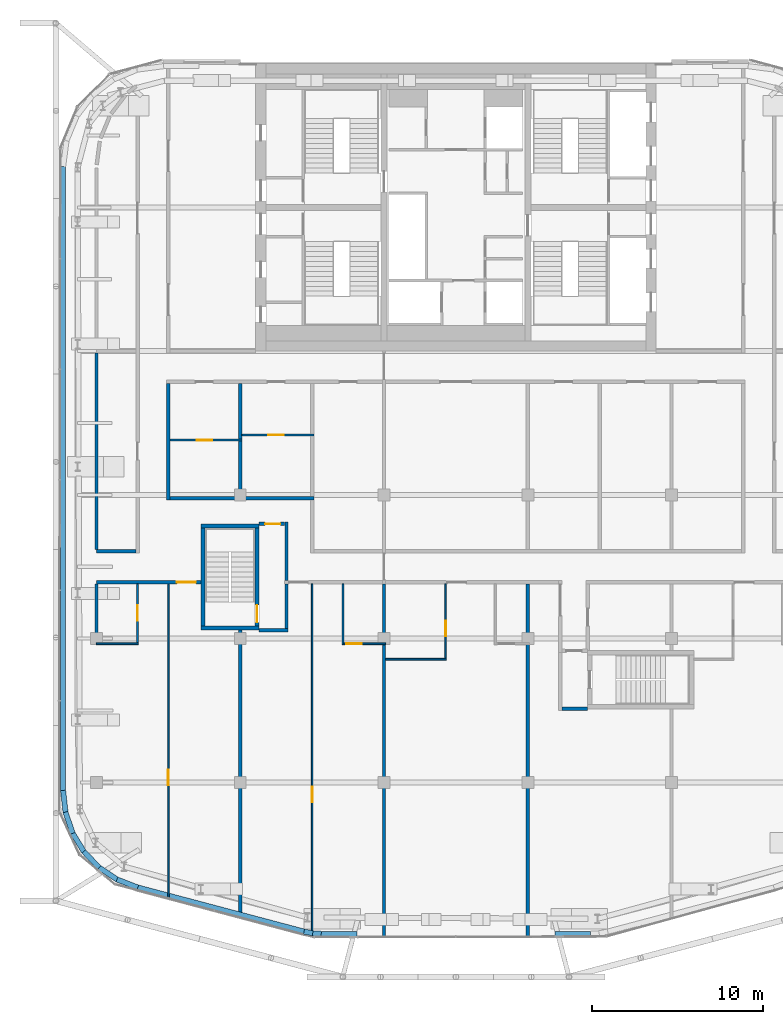
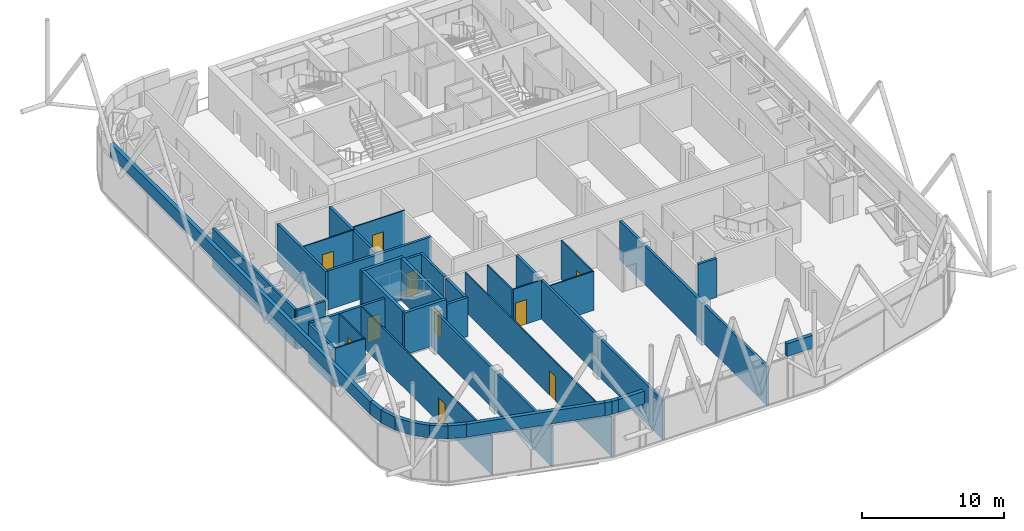
# One storey, part 19 of 25: 41 walls, 10 doors, 10 openings.
"""IFC4 building model written with IfcOpenShell, lengths in metres."""

from ifc_helpers import new_model, si_unit, direction, frame, frame_2d, origin, place, context, subcontext, project, spatial, rectangle, extrude, material, layer, layer_set, type_object, element, fill, save


model = new_model("IFC4")

# Units and contexts
model_context = context("Model", 3, precision=1e-05, world=origin(), true_north=direction((0.0, 1.0)))
body_context = subcontext(model_context, "Body", "Model", "MODEL_VIEW")
ifc_project = project(units=[si_unit("LENGTHUNIT", "METRE"), si_unit("AREAUNIT", "SQUARE_METRE"), si_unit("VOLUMEUNIT", "CUBIC_METRE"), si_unit("PLANEANGLEUNIT", "RADIAN"), si_unit("MASSUNIT", "GRAM", prefix="KILO")], contexts=[model_context])

# Site, building, storey
site_placement = place(None, origin())
site = spatial("IfcSite", under=ifc_project, at=site_placement, CompositionType="ELEMENT")
building_placement = place(site_placement, origin())
building = spatial("IfcBuilding", under=site, at=building_placement, Name="Marenta Gate Hotel Tower", CompositionType="ELEMENT")
storey_placement = place(building_placement, frame((0.0, 0.0, 277.699951171875)))
storey = spatial("IfcBuildingStorey", under=building, at=storey_placement, Name="L64", CompositionType="ELEMENT", Elevation=277.699951171875)

# Walls
ifc_material_1 = material(Name="Concrete blockwork", Category="masonry")
ifc_layer_1 = layer(ifc_material_1, 0.199951171875)
ifc_layer_set_1 = layer_set([ifc_layer_1], Name="Concrete blockwork")
wall_type_1 = type_object("IfcWallType", Name="Compartment wall 200 REI 180", PredefinedType="PARTITIONING", material=ifc_layer_set_1)
wall_1_placement = place(storey_placement, frame((-4.199951171875, -34.199951171875, 0.0), z_axis=(0.0, 0.0, 1.0), x_axis=(0.0, 1.0, 0.0)))
element("IfcWall", 1, at=wall_1_placement, inside=storey, type_object=wall_type_1, Name="L64-PTN-W040", PredefinedType="PARTITIONING", context=body_context, shape_type="SweptSolid", body=[
    extrude(rectangle(XDim=20.599853515625, YDim=0.199951171875, at=frame_2d((10.2998046875, 0.0))), origin(), (0.0, 0.0, 1.0), 3.340087890625),
])
ifc_material_2 = material(Name="Concrete C40 board-marked", Category="concrete")
ifc_layer_2 = layer(ifc_material_2, 0.300048828125)
ifc_layer_set_2 = layer_set([ifc_layer_2], Name="Concrete C40 board-marked")
wall_type_2 = type_object("IfcWallType", Name="Parapet 300 mm board-marked concrete", PredefinedType="PARAPET", material=ifc_layer_set_2)
wall_2_placement = place(storey_placement, frame((-7.86865234375, -34.05029296875, 3.60009765625), z_axis=(0.0, 0.0, 1.0), x_axis=(-0.997886085242, 0.064987390167, 0.0)))
element("IfcWall", 2, at=wall_2_placement, inside=storey, type_object=wall_type_2, Name="L64-PAR-00000", PredefinedType="PARAPET", context=body_context, shape_type="SweptSolid", body=[
    extrude(rectangle(XDim=0.518310546875, YDim=0.300048828125, at=frame_2d((0.25927734375, 0.0))), origin(), (0.0, 0.0, 1.0), 1.099853515625),
])
wall_3_placement = place(storey_placement, frame((-8.36669921875, -34.019287109375, 3.60009765625), z_axis=(0.0, 0.0, 1.0), x_axis=(-0.981066960595, 0.193668838043, 0.0)))
element("IfcWall", 3, at=wall_3_placement, inside=storey, type_object=wall_type_2, Name="L64-PAR-00010", PredefinedType="PARAPET", context=body_context, shape_type="SweptSolid", body=[
    extrude(rectangle(XDim=0.51806640625, YDim=0.300048828125, at=frame_2d((0.259033203125, 0.0))), origin(), (0.0, 0.0, 1.0), 1.099853515625),
])
wall_4_placement = place(storey_placement, frame((-8.865478515625, -33.921142578125, 3.60009765625), z_axis=(0.0, 0.0, 1.0), x_axis=(-0.966564868529, 0.256422220031, 0.0)))
element("IfcWall", 4, at=wall_4_placement, inside=storey, type_object=wall_type_2, Name="L64-PAR-00020", PredefinedType="PARAPET", context=body_context, shape_type="SweptSolid", body=[
    extrude(rectangle(XDim=10.0712890625, YDim=0.300048828125, at=frame_2d((5.03564453125, 0.0))), origin(), (0.0, 0.0, 1.0), 1.099853515625),
])
wall_5_placement = place(storey_placement, frame((-18.584716796875, -31.34375, 3.60009765625), z_axis=(0.0, 0.0, 1.0), x_axis=(-0.932786730883, 0.360428792813, 0.0)))
element("IfcWall", 5, at=wall_5_placement, inside=storey, type_object=wall_type_2, Name="L64-PAR-00030", PredefinedType="PARAPET", context=body_context, shape_type="SweptSolid", body=[
    extrude(rectangle(XDim=1.30859375, YDim=0.300048828125, at=frame_2d((0.654296875, 0.0))), origin(), (0.0, 0.0, 1.0), 1.099853515625),
])
wall_6_placement = place(storey_placement, frame((-19.7763671875, -30.88720703125, 3.60009765625), z_axis=(0.0, 0.0, 1.0), x_axis=(-0.832566414073, 0.55392523517, 0.0)))
element("IfcWall", 6, at=wall_6_placement, inside=storey, type_object=wall_type_2, Name="L64-PAR-00040", PredefinedType="PARAPET", context=body_context, shape_type="SweptSolid", body=[
    extrude(rectangle(XDim=1.30908203125, YDim=0.300048828125, at=frame_2d((0.654541015625, 0.0))), origin(), (0.0, 0.0, 1.0), 1.099853515625),
])
wall_7_placement = place(storey_placement, frame((-20.841064453125, -30.18310546875, 3.60009765625), z_axis=(0.0, 0.0, 1.0), x_axis=(-0.692407566653, 0.721506591544, 0.0)))
element("IfcWall", 7, at=wall_7_placement, inside=storey, type_object=wall_type_2, Name="L64-PAR-00050", PredefinedType="PARAPET", context=body_context, shape_type="SweptSolid", body=[
    extrude(rectangle(XDim=1.308837890625, YDim=0.300048828125, at=frame_2d((0.654296875, 0.0))), origin(), (0.0, 0.0, 1.0), 1.099853515625),
])
wall_8_placement = place(storey_placement, frame((-21.727294921875, -29.264892578125, 3.60009765625), z_axis=(0.0, 0.0, 1.0), x_axis=(-0.519751696049, 0.854317373377, 0.0)))
element("IfcWall", 8, at=wall_8_placement, inside=storey, type_object=wall_type_2, Name="L64-PAR-00060", PredefinedType="PARAPET", context=body_context, shape_type="SweptSolid", body=[
    extrude(rectangle(XDim=1.30908203125, YDim=0.300048828125, at=frame_2d((0.654541015625, 0.0))), origin(), (0.0, 0.0, 1.0), 1.099853515625),
])
wall_9_placement = place(storey_placement, frame((-22.393798828125, -28.176025390625, 3.60009765625), z_axis=(0.0, 0.0, 1.0), x_axis=(-0.321986341971, 0.946744313732, 0.0)))
element("IfcWall", 9, at=wall_9_placement, inside=storey, type_object=wall_type_2, Name="L64-PAR-00070", PredefinedType="PARAPET", context=body_context, shape_type="SweptSolid", body=[
    extrude(rectangle(XDim=1.30859375, YDim=0.300048828125, at=frame_2d((0.654296875, 0.0))), origin(), (0.0, 0.0, 1.0), 1.099853515625),
])
wall_10_placement = place(storey_placement, frame((-22.80810546875, -26.968994140625, 3.60009765625), z_axis=(0.0, 0.0, 1.0), x_axis=(-0.109121157301, 0.994028456851, 0.0)))
element("IfcWall", 10, at=wall_10_placement, inside=storey, type_object=wall_type_2, Name="L64-PAR-00080", PredefinedType="PARAPET", context=body_context, shape_type="SweptSolid", body=[
    extrude(rectangle(XDim=1.308837890625, YDim=0.300048828125, at=frame_2d((0.654296875, 0.0))), origin(), (0.0, 0.0, 1.0), 1.099853515625),
])
wall_11_placement = place(storey_placement, frame((-22.949951171875, -25.684326171875, 3.60009765625), z_axis=(0.0, 0.0, 1.0), x_axis=(0.0, 1.0, 0.0)))
element("IfcWall", 11, at=wall_11_placement, inside=storey, type_object=wall_type_2, Name="L64-PAR-00090", PredefinedType="PARAPET", context=body_context, shape_type="SweptSolid", body=[
    extrude(rectangle(XDim=36.484375, YDim=0.300048828125, at=frame_2d((18.2421875, 0.0))), origin(), (0.0, 0.0, 1.0), 1.099853515625),
])
for number, where, z_axis, x_axis, name in (
    (12, (-5.7783203125, -34.050048828125, 3.60009765625), (0.0, 0.0, 1.0), (-1.0, 0.0, 0.0), "L64-PAR-01010"),
    (13, (7.87841796875, -34.050048828125, 3.60009765625), (0.0, 0.0, 1.0), (-1.0, 0.0, 0.0), "L64-PAR-10160"),
):
    element("IfcWall", number, at=place(storey_placement, frame(where, z_axis=z_axis, x_axis=x_axis)), inside=storey, type_object=wall_type_2, Name=name, PredefinedType="PARAPET", context=body_context, shape_type="SweptSolid", body=[
        extrude(rectangle(XDim=2.10009765625, YDim=0.300048828125, at=frame_2d((1.050048828125, 0.0))), origin(), (0.0, 0.0, 1.0), 1.099853515625),
    ])
ifc_material_3 = material(Name="Concrete C40", Category="concrete")
ifc_layer_3 = layer(ifc_material_3, 0.25)
ifc_layer_set_3 = layer_set([ifc_layer_3], Name="Concrete C40")
wall_type_3 = type_object("IfcWallType", Name="Remote stair enclosure wall 250 REI 180", PredefinedType="SHEAR", material=ifc_layer_set_3)
for number, where, z_axis, x_axis, name in (
    (14, (-14.89990234375, -16.175048828125, 0.10009765625), (0.0, 0.0, 1.0), (1.0, 0.0, 0.0), "L64-RS-Z4-2-W1"),
    (15, (-14.89990234375, -10.22509765625, 0.10009765625), (0.0, 0.0, 1.0), (1.0, 0.0, 0.0), "L64-RS-Z4-2-W2"),
):
    element("IfcWall", number, at=place(storey_placement, frame(where, z_axis=z_axis, x_axis=x_axis)), inside=storey, type_object=wall_type_3, Name=name, PredefinedType="SHEAR", context=body_context, shape_type="SweptSolid", body=[
        extrude(rectangle(XDim=3.39990234375, YDim=0.25, at=frame_2d((1.699951171875, 0.0))), origin(), (0.0, 0.0, 1.0), 3.599853515625),
    ])
wall_12_placement = place(storey_placement, frame((-14.77490234375, -16.050048828125, 0.10009765625), z_axis=(0.0, 0.0, 1.0), x_axis=(0.0, 1.0, 0.0)))
element("IfcWall", 16, at=wall_12_placement, inside=storey, type_object=wall_type_3, Name="L64-RS-Z4-2-W3", PredefinedType="SHEAR", context=body_context, shape_type="SweptSolid", body=[
    extrude(rectangle(XDim=5.699951171875, YDim=0.25, at=frame_2d((2.85009765625, 0.0))), origin(), (0.0, 0.0, 1.0), 3.599853515625),
])

# Wall, opening, door
wall_13_placement = place(storey_placement, frame((-11.625, -16.050048828125, 0.10009765625), z_axis=(0.0, 0.0, 1.0), x_axis=(0.0, 1.0, 0.0)))
wall_13 = element("IfcWall", 17, at=wall_13_placement, inside=storey, type_object=wall_type_3, Name="L64-RS-Z4-2-W4", PredefinedType="SHEAR", context=body_context, shape_type="SweptSolid", body=[
    extrude(rectangle(XDim=5.699951171875, YDim=0.25, at=frame_2d((2.85009765625, 0.0))), origin(), (0.0, 0.0, 1.0), 3.599853515625),
])
opening_1_placement = place(wall_13_placement, frame((0.199951171875, 0.0, 0.0)))
opening_1 = element("IfcOpeningElement", 18, at=opening_1_placement, cuts=wall_13, Name="Opening VD", PredefinedType="OPENING", context=body_context, shape_type="SweptSolid", body=[
    extrude(rectangle(XDim=1.0, YDim=2.10009765625, at=frame_2d((0.5, 1.050048828125))), frame((0.0, 0.125, 0.0), z_axis=(0.0, -1.0, 0.0), x_axis=(1.0, 0.0, 0.0)), (0.0, 0.0, 1.0), 0.25),
])
ifc_material_4 = material(Name="Steel", Category="steel")
door_type_1 = type_object("IfcDoorType", Name="Stair vestibule door 1000x2100 FD60", OperationType="SINGLE_SWING_LEFT", PredefinedType="DOOR", material=ifc_material_4)
door_1_placement = place(opening_1_placement, origin())
door_1 = element("IfcDoor", 19, at=door_1_placement, inside=storey, type_object=door_type_1, Name="VD", OperationType="SINGLE_SWING_LEFT", OverallHeight=2.10009765625, OverallWidth=1.0, PredefinedType="DOOR", context=body_context, shape_type="SweptSolid", body=[
    extrude(rectangle(XDim=1.0, YDim=2.10009765625, at=frame_2d((0.5, 1.050048828125))), frame((0.0, 0.02490234375, 0.0), z_axis=(0.0, -1.0, 0.0), x_axis=(1.0, 0.0, 0.0)), (0.0, 0.0, 1.0), 0.050048828125),
])
fill(opening_1, door_1)

# Wall
ifc_material_5 = material(Name="Concrete blockwork", Category="masonry")
ifc_layer_4 = layer(ifc_material_5, 0.199951171875)
ifc_layer_set_4 = layer_set([ifc_layer_4], Name="Concrete blockwork")
wall_type_4 = type_object("IfcWallType", Name="Room corridor wall 200 EI 120", PredefinedType="PARTITIONING", material=ifc_layer_set_4)
wall_14_placement = place(storey_placement, frame((-16.699951171875, -8.60009765625, 0.0), z_axis=(0.0, 0.0, 1.0), x_axis=(1.0, 0.0, 0.0)))
element("IfcWall", 20, at=wall_14_placement, inside=storey, type_object=wall_type_4, Name="L64-PTN-W026", PredefinedType="PARTITIONING", context=body_context, shape_type="SweptSolid", body=[
    extrude(rectangle(XDim=8.39990234375, YDim=0.199951171875, at=frame_2d((4.199951171875, 0.0))), origin(), (0.0, 0.0, 1.0), 3.340087890625),
])

# Wall, opening, door
ifc_material_6 = material(Name="Gypsum board on steel stud", Category="steel")
ifc_layer_5 = layer(ifc_material_6, 0.199951171875)
ifc_layer_set_5 = layer_set([ifc_layer_5], Name="Gypsum board on steel stud")
wall_type_5 = type_object("IfcWallType", Name="Room corridor wall 200 EI 60", PredefinedType="PARTITIONING", material=ifc_layer_set_5)
wall_15_placement = place(storey_placement, frame((-21.0, -13.5, 0.0), z_axis=(0.0, 0.0, 1.0), x_axis=(1.0, 0.0, 0.0)))
wall_15 = element("IfcWall", 21, at=wall_15_placement, inside=storey, type_object=wall_type_5, Name="L64-PTN-W016", PredefinedType="PARTITIONING", context=body_context, shape_type="SweptSolid", body=[
    extrude(rectangle(XDim=6.10009765625, YDim=0.199951171875, at=frame_2d((3.050048828125, 0.0))), origin(), (0.0, 0.0, 1.0), 3.340087890625),
])
opening_2_placement = place(wall_15_placement, frame((4.699951171875, 0.0, 0.0)))
opening_2 = element("IfcOpeningElement", 22, at=opening_2_placement, cuts=wall_15, Name="Opening G23-11", PredefinedType="OPENING", context=body_context, shape_type="SweptSolid", body=[
    extrude(rectangle(XDim=1.10009765625, YDim=2.10009765625, at=frame_2d((0.550048828125, 1.050048828125))), frame((0.0, 0.10009765625, 0.0), z_axis=(0.0, -1.0, 0.0), x_axis=(1.0, 0.0, 0.0)), (0.0, 0.0, 1.0), 0.199951171875),
])
ifc_material_7 = material(Name="Timber door leaf", Category="wood")
door_type_2 = type_object("IfcDoorType", Name="Guest room door 1100x2100 EI 30", OperationType="NOTDEFINED", PredefinedType="DOOR", material=ifc_material_7)
door_2_placement = place(opening_2_placement, origin())
door_2 = element("IfcDoor", 23, at=door_2_placement, inside=storey, type_object=door_type_2, Name="L64-PD-D011", OperationType="SINGLE_SWING_RIGHT", OverallHeight=2.10009765625, OverallWidth=1.10009765625, PredefinedType="DOOR", context=body_context, shape_type="SweptSolid", body=[
    extrude(rectangle(XDim=1.10009765625, YDim=2.10009765625, at=frame_2d((0.550048828125, 1.050048828125))), frame((0.0, 0.02490234375, 0.0), z_axis=(0.0, -1.0, 0.0), x_axis=(1.0, 0.0, 0.0)), (0.0, 0.0, 1.0), 0.050048828125),
])
fill(opening_2, door_2)

# Walls
wall_16_placement = place(storey_placement, frame((-21.0, -11.699951171875, 0.0), z_axis=(0.0, 0.0, 1.0), x_axis=(1.0, 0.0, 0.0)))
element("IfcWall", 24, at=wall_16_placement, inside=storey, type_object=wall_type_5, Name="L64-PTN-W022", PredefinedType="PARTITIONING", context=body_context, shape_type="SweptSolid", body=[
    extrude(rectangle(XDim=2.300048828125, YDim=0.199951171875, at=frame_2d((1.14990234375, 0.0))), origin(), (0.0, 0.0, 1.0), 3.340087890625),
])
wall_17_placement = place(storey_placement, frame((-16.800048828125, -8.699951171875, 0.0), z_axis=(0.0, 0.0, 1.0), x_axis=(0.0, 1.0, 0.0)))
element("IfcWall", 25, at=wall_17_placement, inside=storey, type_object=wall_type_5, Name="L64-PTN-W051", PredefinedType="PARTITIONING", context=body_context, shape_type="SweptSolid", body=[
    extrude(rectangle(XDim=6.800048828125, YDim=0.199951171875, at=frame_2d((3.39990234375, 0.0))), origin(), (0.0, 0.0, 1.0), 3.340087890625),
])
wall_18_placement = place(storey_placement, frame((-21.0, -17.050048828125, 0.0), z_axis=(0.0, 0.0, 1.0), x_axis=(0.0, 1.0, 0.0)))
element("IfcWall", 26, at=wall_18_placement, inside=storey, type_object=wall_type_5, Name="L64-PTN-W054", PredefinedType="PARTITIONING", context=body_context, shape_type="SweptSolid", body=[
    extrude(rectangle(XDim=3.449951171875, YDim=0.199951171875, at=frame_2d((1.72509765625, 0.0))), origin(), (0.0, 0.0, 1.0), 3.340087890625),
])
wall_19_placement = place(storey_placement, frame((-21.0, -11.60009765625, 0.0), z_axis=(0.0, 0.0, 1.0), x_axis=(0.0, 1.0, 0.0)))
element("IfcWall", 27, at=wall_19_placement, inside=storey, type_object=wall_type_5, Name="L64-PTN-W055", PredefinedType="PARTITIONING", context=body_context, shape_type="SweptSolid", body=[
    extrude(rectangle(XDim=11.5, YDim=0.199951171875, at=frame_2d((5.75, 0.0))), origin(), (0.0, 0.0, 1.0), 3.340087890625),
])

# Wall, opening, door
ifc_material_8 = material(Name="Concrete blockwork", Category="masonry")
ifc_layer_6 = layer(ifc_material_8, 0.199951171875)
ifc_layer_set_6 = layer_set([ifc_layer_6], Name="Concrete blockwork")
wall_type_6 = type_object("IfcWallType", Name="Room corridor wall 200 REI 180", PredefinedType="PARTITIONING", material=ifc_layer_set_6)
wall_20_placement = place(storey_placement, frame((-11.5, -10.10009765625, 0.0), z_axis=(0.0, 0.0, 1.0), x_axis=(1.0, 0.0, 0.0)))
wall_20 = element("IfcWall", 28, at=wall_20_placement, inside=storey, type_object=wall_type_6, Name="L64-PTN-W025", PredefinedType="PARTITIONING", context=body_context, shape_type="SweptSolid", body=[
    extrude(rectangle(XDim=1.5, YDim=0.199951171875, at=frame_2d((0.75, 0.0))), origin(), (0.0, 0.0, 1.0), 3.340087890625),
])
opening_3_placement = place(wall_20_placement, frame((0.35009765625, 0.0, 0.0)))
opening_3 = element("IfcOpeningElement", 29, at=opening_3_placement, cuts=wall_20, Name="Opening G23-26", PredefinedType="OPENING", context=body_context, shape_type="SweptSolid", body=[
    extrude(rectangle(XDim=0.89990234375, YDim=2.10009765625, at=frame_2d((0.449951171875, 1.050048828125))), frame((0.0, 0.10009765625, 0.0), z_axis=(0.0, -1.0, 0.0), x_axis=(1.0, 0.0, 0.0)), (0.0, 0.0, 1.0), 0.199951171875),
])
ifc_material_9 = material(Name="Hollow steel door set", Category="steel")
door_type_3 = type_object("IfcDoorType", Name="Stair vestibule door 900x2100 EI 60", OperationType="NOTDEFINED", PredefinedType="DOOR", material=ifc_material_9)
door_3_placement = place(opening_3_placement, origin())
door_3 = element("IfcDoor", 30, at=door_3_placement, inside=storey, type_object=door_type_3, Name="L64-PD-D026", OperationType="SINGLE_SWING_LEFT", OverallHeight=2.10009765625, OverallWidth=0.89990234375, PredefinedType="DOOR", context=body_context, shape_type="SweptSolid", body=[
    extrude(rectangle(XDim=0.89990234375, YDim=2.10009765625, at=frame_2d((0.449951171875, 1.050048828125))), frame((0.0, 0.02490234375, 0.0), z_axis=(0.0, -1.0, 0.0), x_axis=(1.0, 0.0, 0.0)), (0.0, 0.0, 1.0), 0.050048828125),
])
fill(opening_3, door_3)

# Walls
wall_21_placement = place(storey_placement, frame((-9.89990234375, -13.39990234375, 0.0), z_axis=(0.0, 0.0, 1.0), x_axis=(0.0, 1.0, 0.0)))
element("IfcWall", 31, at=wall_21_placement, inside=storey, type_object=wall_type_6, Name="L64-PTN-W047", PredefinedType="PARTITIONING", context=body_context, shape_type="SweptSolid", body=[
    extrude(rectangle(XDim=3.39990234375, YDim=0.199951171875, at=frame_2d((1.699951171875, 0.0))), origin(), (0.0, 0.0, 1.0), 3.340087890625),
])
ifc_material_10 = material(Name="Gypsum board on steel stud", Category="steel")
ifc_layer_7 = layer(ifc_material_10, 0.10009765625)
ifc_layer_set_7 = layer_set([ifc_layer_7], Name="Gypsum board on steel stud")
wall_type_7 = type_object("IfcWallType", Name="Room partition 100", PredefinedType="PARTITIONING", material=ifc_layer_set_7)
wall_22_placement = place(storey_placement, frame((-4.10009765625, -18.0, 0.0), z_axis=(0.0, 0.0, 1.0), x_axis=(1.0, 0.0, 0.0)))
element("IfcWall", 32, at=wall_22_placement, inside=storey, type_object=wall_type_7, Name="L64-PTN-W006", PredefinedType="PARTITIONING", context=body_context, shape_type="SweptSolid", body=[
    extrude(rectangle(XDim=3.550048828125, YDim=0.10009765625, at=frame_2d((1.77490234375, 0.0))), origin(), (0.0, 0.0, 1.0), 3.340087890625),
])
wall_23_placement = place(storey_placement, frame((-21.0, -17.10009765625, 0.0), z_axis=(0.0, 0.0, 1.0), x_axis=(1.0, 0.0, 0.0)))
element("IfcWall", 33, at=wall_23_placement, inside=storey, type_object=wall_type_7, Name="L64-PTN-W009", PredefinedType="PARTITIONING", context=body_context, shape_type="SweptSolid", body=[
    extrude(rectangle(XDim=2.449951171875, YDim=0.10009765625, at=frame_2d((1.22509765625, 0.0))), origin(), (0.0, 0.0, 1.0), 3.340087890625),
])

# Wall, opening, door
wall_24_placement = place(storey_placement, frame((-6.550048828125, -17.10009765625, 0.0), z_axis=(0.0, 0.0, 1.0), x_axis=(1.0, 0.0, 0.0)))
wall_24 = element("IfcWall", 34, at=wall_24_placement, inside=storey, type_object=wall_type_7, Name="L64-PTN-W010", PredefinedType="PARTITIONING", context=body_context, shape_type="SweptSolid", body=[
    extrude(rectangle(XDim=2.449951171875, YDim=0.10009765625, at=frame_2d((1.22509765625, 0.0))), origin(), (0.0, 0.0, 1.0), 3.340087890625),
])
opening_4_placement = place(wall_24_placement, frame((0.14990234375, 0.0, 0.0)))
opening_4 = element("IfcOpeningElement", 35, at=opening_4_placement, cuts=wall_24, Name="Opening G23-16", PredefinedType="OPENING", context=body_context, shape_type="SweptSolid", body=[
    extrude(rectangle(XDim=0.89990234375, YDim=2.10009765625, at=frame_2d((0.449951171875, 1.050048828125))), frame((0.0, 0.050048828125, 0.0), z_axis=(0.0, -1.0, 0.0), x_axis=(1.0, 0.0, 0.0)), (0.0, 0.0, 1.0), 0.10009765625),
])
ifc_material_11 = material(Name="Timber door leaf", Category="wood")
door_type_4 = type_object("IfcDoorType", Name="Guest bathroom door 900x2100", OperationType="NOTDEFINED", PredefinedType="DOOR", material=ifc_material_11)
door_4_placement = place(opening_4_placement, origin())
door_4 = element("IfcDoor", 36, at=door_4_placement, inside=storey, type_object=door_type_4, Name="L64-PD-D016", OperationType="SINGLE_SWING_LEFT", OverallHeight=2.10009765625, OverallWidth=0.89990234375, PredefinedType="DOOR", context=body_context, shape_type="SweptSolid", body=[
    extrude(rectangle(XDim=0.89990234375, YDim=2.10009765625, at=frame_2d((0.449951171875, 1.050048828125))), frame((0.0, 0.02490234375, 0.0), z_axis=(0.0, -1.0, 0.0), x_axis=(1.0, 0.0, 0.0)), (0.0, 0.0, 1.0), 0.050048828125),
])
fill(opening_4, door_4)

wall_25_placement = place(storey_placement, frame((-16.699951171875, -5.199951171875, 0.0), z_axis=(0.0, 0.0, 1.0), x_axis=(1.0, 0.0, 0.0)))
wall_25 = element("IfcWall", 37, at=wall_25_placement, inside=storey, type_object=wall_type_7, Name="L64-PTN-W031", PredefinedType="PARTITIONING", context=body_context, shape_type="SweptSolid", body=[
    extrude(rectangle(XDim=4.199951171875, YDim=0.10009765625, at=frame_2d((2.10009765625, 0.0))), origin(), (0.0, 0.0, 1.0), 3.340087890625),
])
opening_5_placement = place(wall_25_placement, frame((1.550048828125, 0.0, 0.0)))
opening_5 = element("IfcOpeningElement", 38, at=opening_5_placement, cuts=wall_25, Name="Opening G23-02", PredefinedType="OPENING", context=body_context, shape_type="SweptSolid", body=[
    extrude(rectangle(XDim=0.89990234375, YDim=2.10009765625, at=frame_2d((0.449951171875, 1.050048828125))), frame((0.0, 0.050048828125, 0.0), z_axis=(0.0, -1.0, 0.0), x_axis=(1.0, 0.0, 0.0)), (0.0, 0.0, 1.0), 0.10009765625),
])
ifc_material_12 = material(Name="Timber door leaf", Category="wood")
door_type_5 = type_object("IfcDoorType", Name="Room inner door 900x2100", OperationType="NOTDEFINED", PredefinedType="DOOR", material=ifc_material_12)
door_5_placement = place(opening_5_placement, origin())
door_5 = element("IfcDoor", 39, at=door_5_placement, inside=storey, type_object=door_type_5, Name="L64-PD-D002", OperationType="SINGLE_SWING_RIGHT", OverallHeight=2.10009765625, OverallWidth=0.89990234375, PredefinedType="DOOR", context=body_context, shape_type="SweptSolid", body=[
    extrude(rectangle(XDim=0.89990234375, YDim=2.10009765625, at=frame_2d((0.449951171875, 1.050048828125))), frame((0.0, 0.02490234375, 0.0), z_axis=(0.0, -1.0, 0.0), x_axis=(1.0, 0.0, 0.0)), (0.0, 0.0, 1.0), 0.050048828125),
])
fill(opening_5, door_5)

wall_26_placement = place(storey_placement, frame((-12.5, -4.89990234375, 0.0), z_axis=(0.0, 0.0, 1.0), x_axis=(1.0, 0.0, 0.0)))
wall_26 = element("IfcWall", 40, at=wall_26_placement, inside=storey, type_object=wall_type_7, Name="L64-PTN-W032", PredefinedType="PARTITIONING", context=body_context, shape_type="SweptSolid", body=[
    extrude(rectangle(XDim=4.199951171875, YDim=0.10009765625, at=frame_2d((2.10009765625, 0.0))), origin(), (0.0, 0.0, 1.0), 3.340087890625),
])
opening_6_placement = place(wall_26_placement, frame((1.550048828125, 0.0, 0.0)))
opening_6 = element("IfcOpeningElement", 41, at=opening_6_placement, cuts=wall_26, Name="Opening G23-04", PredefinedType="OPENING", context=body_context, shape_type="SweptSolid", body=[
    extrude(rectangle(XDim=0.89990234375, YDim=2.10009765625, at=frame_2d((0.449951171875, 1.050048828125))), frame((0.0, 0.050048828125, 0.0), z_axis=(0.0, -1.0, 0.0), x_axis=(1.0, 0.0, 0.0)), (0.0, 0.0, 1.0), 0.10009765625),
])
door_6_placement = place(opening_6_placement, origin())
door_6 = element("IfcDoor", 42, at=door_6_placement, inside=storey, type_object=door_type_5, Name="L64-PD-D004", OperationType="SINGLE_SWING_RIGHT", OverallHeight=2.10009765625, OverallWidth=0.89990234375, PredefinedType="DOOR", context=body_context, shape_type="SweptSolid", body=[
    extrude(rectangle(XDim=0.89990234375, YDim=2.10009765625, at=frame_2d((0.449951171875, 1.050048828125))), frame((0.0, 0.02490234375, 0.0), z_axis=(0.0, -1.0, 0.0), x_axis=(1.0, 0.0, 0.0)), (0.0, 0.0, 1.0), 0.050048828125),
])
fill(opening_6, door_6)

wall_27_placement = place(storey_placement, frame((-0.60009765625, -17.949951171875, 0.0), z_axis=(0.0, 0.0, 1.0), x_axis=(0.0, 1.0, 0.0)))
wall_27 = element("IfcWall", 43, at=wall_27_placement, inside=storey, type_object=wall_type_7, Name="L64-PTN-W039", PredefinedType="PARTITIONING", context=body_context, shape_type="SweptSolid", body=[
    extrude(rectangle(XDim=4.349853515625, YDim=0.10009765625, at=frame_2d((2.1748046875, 0.0))), origin(), (0.0, 0.0, 1.0), 3.340087890625),
])
opening_7_placement = place(wall_27_placement, frame((1.300048828125, 0.0, 0.0)))
opening_7 = element("IfcOpeningElement", 44, at=opening_7_placement, cuts=wall_27, Name="Opening G23-18", PredefinedType="OPENING", context=body_context, shape_type="SweptSolid", body=[
    extrude(rectangle(XDim=0.89990234375, YDim=2.10009765625, at=frame_2d((0.449951171875, 1.050048828125))), frame((0.0, 0.050048828125, 0.0), z_axis=(0.0, -1.0, 0.0), x_axis=(1.0, 0.0, 0.0)), (0.0, 0.0, 1.0), 0.10009765625),
])
door_7_placement = place(opening_7_placement, origin())
door_7 = element("IfcDoor", 45, at=door_7_placement, inside=storey, type_object=door_type_4, Name="L64-PD-D018", OperationType="SINGLE_SWING_LEFT", OverallHeight=2.10009765625, OverallWidth=0.89990234375, PredefinedType="DOOR", context=body_context, shape_type="SweptSolid", body=[
    extrude(rectangle(XDim=0.89990234375, YDim=2.10009765625, at=frame_2d((0.449951171875, 1.050048828125))), frame((0.0, 0.02490234375, 0.0), z_axis=(0.0, -1.0, 0.0), x_axis=(1.0, 0.0, 0.0)), (0.0, 0.0, 1.0), 0.050048828125),
])
fill(opening_7, door_7)

# Wall
wall_28_placement = place(storey_placement, frame((-6.60009765625, -17.14990234375, 0.0), z_axis=(0.0, 0.0, 1.0), x_axis=(0.0, 1.0, 0.0)))
element("IfcWall", 46, at=wall_28_placement, inside=storey, type_object=wall_type_7, Name="L64-PTN-W042", PredefinedType="PARTITIONING", context=body_context, shape_type="SweptSolid", body=[
    extrude(rectangle(XDim=3.5498046875, YDim=0.10009765625, at=frame_2d((1.77490234375, 0.0))), origin(), (0.0, 0.0, 1.0), 3.340087890625),
])

# Wall, opening, door
wall_29_placement = place(storey_placement, frame((-8.39990234375, -34.19189453125, 0.0), z_axis=(0.0, 0.0, 1.0), x_axis=(0.0, 1.0, 0.0)))
wall_29 = element("IfcWall", 47, at=wall_29_placement, inside=storey, type_object=wall_type_7, Name="L64-PTN-W043", PredefinedType="PARTITIONING", context=body_context, shape_type="SweptSolid", body=[
    extrude(rectangle(XDim=20.591796875, YDim=0.10009765625, at=frame_2d((10.2958984375, 0.0))), origin(), (0.0, 0.0, 1.0), 3.340087890625),
])
opening_8_placement = place(wall_29_placement, frame((7.822021484375, 0.0, 0.0)))
opening_8 = element("IfcOpeningElement", 48, at=opening_8_placement, cuts=wall_29, Name="Opening G23-15", PredefinedType="OPENING", context=body_context, shape_type="SweptSolid", body=[
    extrude(rectangle(XDim=0.89990234375, YDim=2.10009765625, at=frame_2d((0.449951171875, 1.050048828125))), frame((0.0, 0.050048828125, 0.0), z_axis=(0.0, -1.0, 0.0), x_axis=(1.0, 0.0, 0.0)), (0.0, 0.0, 1.0), 0.10009765625),
])
door_8_placement = place(opening_8_placement, origin())
door_8 = element("IfcDoor", 49, at=door_8_placement, inside=storey, type_object=door_type_5, Name="L64-PD-D015", OperationType="SINGLE_SWING_LEFT", OverallHeight=2.10009765625, OverallWidth=0.89990234375, PredefinedType="DOOR", context=body_context, shape_type="SweptSolid", body=[
    extrude(rectangle(XDim=0.89990234375, YDim=2.10009765625, at=frame_2d((0.449951171875, 1.050048828125))), frame((0.0, 0.02490234375, 0.0), z_axis=(0.0, -1.0, 0.0), x_axis=(1.0, 0.0, 0.0)), (0.0, 0.0, 1.0), 0.050048828125),
])
fill(opening_8, door_8)

wall_30_placement = place(storey_placement, frame((-16.800048828125, -31.95703125, 0.0), z_axis=(0.0, 0.0, 1.0), x_axis=(0.0, 1.0, 0.0)))
wall_30 = element("IfcWall", 50, at=wall_30_placement, inside=storey, type_object=wall_type_7, Name="L64-PTN-W050", PredefinedType="PARTITIONING", context=body_context, shape_type="SweptSolid", body=[
    extrude(rectangle(XDim=18.35693359375, YDim=0.10009765625, at=frame_2d((9.178466796875, 0.0))), origin(), (0.0, 0.0, 1.0), 3.340087890625),
])
opening_9_placement = place(wall_30_placement, frame((6.590087890625, 0.0, 0.0)))
opening_9 = element("IfcOpeningElement", 51, at=opening_9_placement, cuts=wall_30, Name="Opening G23-12", PredefinedType="OPENING", context=body_context, shape_type="SweptSolid", body=[
    extrude(rectangle(XDim=0.89990234375, YDim=2.10009765625, at=frame_2d((0.449951171875, 1.050048828125))), frame((0.0, 0.050048828125, 0.0), z_axis=(0.0, -1.0, 0.0), x_axis=(1.0, 0.0, 0.0)), (0.0, 0.0, 1.0), 0.10009765625),
])
door_9_placement = place(opening_9_placement, origin())
door_9 = element("IfcDoor", 52, at=door_9_placement, inside=storey, type_object=door_type_5, Name="L64-PD-D012", OperationType="SINGLE_SWING_LEFT", OverallHeight=2.10009765625, OverallWidth=0.89990234375, PredefinedType="DOOR", context=body_context, shape_type="SweptSolid", body=[
    extrude(rectangle(XDim=0.89990234375, YDim=2.10009765625, at=frame_2d((0.449951171875, 1.050048828125))), frame((0.0, 0.02490234375, 0.0), z_axis=(0.0, -1.0, 0.0), x_axis=(1.0, 0.0, 0.0)), (0.0, 0.0, 1.0), 0.050048828125),
])
fill(opening_9, door_9)

wall_31_placement = place(storey_placement, frame((-18.60009765625, -17.050048828125, 0.0), z_axis=(0.0, 0.0, 1.0), x_axis=(0.0, 1.0, 0.0)))
wall_31 = element("IfcWall", 53, at=wall_31_placement, inside=storey, type_object=wall_type_7, Name="L64-PTN-W052", PredefinedType="PARTITIONING", context=body_context, shape_type="SweptSolid", body=[
    extrude(rectangle(XDim=3.449951171875, YDim=0.10009765625, at=frame_2d((1.72509765625, 0.0))), origin(), (0.0, 0.0, 1.0), 3.340087890625),
])
opening_10_placement = place(wall_31_placement, frame((1.300048828125, 0.0, 0.0)))
opening_10 = element("IfcOpeningElement", 54, at=opening_10_placement, cuts=wall_31, Name="Opening G23-13", PredefinedType="OPENING", context=body_context, shape_type="SweptSolid", body=[
    extrude(rectangle(XDim=0.89990234375, YDim=2.10009765625, at=frame_2d((0.449951171875, 1.050048828125))), frame((0.0, 0.050048828125, 0.0), z_axis=(0.0, -1.0, 0.0), x_axis=(1.0, 0.0, 0.0)), (0.0, 0.0, 1.0), 0.10009765625),
])
door_10_placement = place(opening_10_placement, origin())
door_10 = element("IfcDoor", 55, at=door_10_placement, inside=storey, type_object=door_type_4, Name="L64-PD-D013", OperationType="SINGLE_SWING_RIGHT", OverallHeight=2.10009765625, OverallWidth=0.89990234375, PredefinedType="DOOR", context=body_context, shape_type="SweptSolid", body=[
    extrude(rectangle(XDim=0.89990234375, YDim=2.10009765625, at=frame_2d((0.449951171875, 1.050048828125))), frame((0.0, 0.02490234375, 0.0), z_axis=(0.0, -1.0, 0.0), x_axis=(1.0, 0.0, 0.0)), (0.0, 0.0, 1.0), 0.050048828125),
])
fill(opening_10, door_10)

# Walls
ifc_material_13 = material(Name="Concrete blockwork", Category="masonry")
ifc_layer_8 = layer(ifc_material_13, 0.199951171875)
ifc_layer_set_8 = layer_set([ifc_layer_8], Name="Concrete blockwork")
wall_type_8 = type_object("IfcWallType", Name="Room party wall 200 EI 120", PredefinedType="PARTITIONING", material=ifc_layer_set_8)
wall_32_placement = place(storey_placement, frame((-12.60009765625, -8.5, 0.0), z_axis=(0.0, 0.0, 1.0), x_axis=(0.0, 1.0, 0.0)))
element("IfcWall", 56, at=wall_32_placement, inside=storey, type_object=wall_type_8, Name="L64-PTN-W049", PredefinedType="PARTITIONING", context=body_context, shape_type="SweptSolid", body=[
    extrude(rectangle(XDim=6.60009765625, YDim=0.199951171875, at=frame_2d((3.300048828125, 0.0))), origin(), (0.0, 0.0, 1.0), 3.340087890625),
])
ifc_material_14 = material(Name="Gypsum board on steel stud", Category="steel")
ifc_layer_9 = layer(ifc_material_14, 0.199951171875)
ifc_layer_set_9 = layer_set([ifc_layer_9], Name="Gypsum board on steel stud")
wall_type_9 = type_object("IfcWallType", Name="Room party wall 200 EI 60", PredefinedType="PARTITIONING", material=ifc_layer_set_9)
wall_33_placement = place(storey_placement, frame((4.199951171875, -34.199951171875, 0.0), z_axis=(0.0, 0.0, 1.0), x_axis=(0.0, 1.0, 0.0)))
element("IfcWall", 57, at=wall_33_placement, inside=storey, type_object=wall_type_9, Name="L64-PTN-W033", PredefinedType="PARTITIONING", context=body_context, shape_type="SweptSolid", body=[
    extrude(rectangle(XDim=20.599853515625, YDim=0.199951171875, at=frame_2d((10.2998046875, 0.0))), origin(), (0.0, 0.0, 1.0), 3.340087890625),
])
wall_34_placement = place(storey_placement, frame((-12.60009765625, -33.074951171875, 0.0), z_axis=(0.0, 0.0, 1.0), x_axis=(0.0, 1.0, 0.0)))
element("IfcWall", 58, at=wall_34_placement, inside=storey, type_object=wall_type_9, Name="L64-PTN-W048", PredefinedType="PARTITIONING", context=body_context, shape_type="SweptSolid", body=[
    extrude(rectangle(XDim=16.77490234375, YDim=0.199951171875, at=frame_2d((8.387451171875, 0.0))), origin(), (0.0, 0.0, 1.0), 3.340087890625),
])
ifc_material_15 = material(Name="Concrete blockwork", Category="masonry")
ifc_layer_10 = layer(ifc_material_15, 0.199951171875)
ifc_layer_set_10 = layer_set([ifc_layer_10], Name="Concrete blockwork")
wall_type_10 = type_object("IfcWallType", Name="Room party wall 200 REI 180", PredefinedType="PARTITIONING", material=ifc_layer_set_10)
wall_35_placement = place(storey_placement, frame((6.199951171875, -20.89990234375, 0.0), z_axis=(0.0, 0.0, 1.0), x_axis=(1.0, 0.0, 0.0)))
element("IfcWall", 59, at=wall_35_placement, inside=storey, type_object=wall_type_10, Name="L64-PTN-W003", PredefinedType="PARTITIONING", context=body_context, shape_type="SweptSolid", body=[
    extrude(rectangle(XDim=1.5, YDim=0.199951171875, at=frame_2d((0.75, 0.0))), origin(), (0.0, 0.0, 1.0), 3.340087890625),
])
wall_36_placement = place(storey_placement, frame((-11.5, -16.300048828125, 0.0), z_axis=(0.0, 0.0, 1.0), x_axis=(1.0, 0.0, 0.0)))
element("IfcWall", 60, at=wall_36_placement, inside=storey, type_object=wall_type_10, Name="L64-PTN-W014", PredefinedType="PARTITIONING", context=body_context, shape_type="SweptSolid", body=[
    extrude(rectangle(XDim=1.699951171875, YDim=0.199951171875, at=frame_2d((0.85009765625, 0.0))), origin(), (0.0, 0.0, 1.0), 3.340087890625),
])
wall_37_placement = place(storey_placement, frame((-9.89990234375, -16.199951171875, 0.0), z_axis=(0.0, 0.0, 1.0), x_axis=(0.0, 1.0, 0.0)))
element("IfcWall", 61, at=wall_37_placement, inside=storey, type_object=wall_type_10, Name="L64-PTN-W046", PredefinedType="PARTITIONING", context=body_context, shape_type="SweptSolid", body=[
    extrude(rectangle(XDim=2.599853515625, YDim=0.199951171875, at=frame_2d((1.2998046875, 0.0))), origin(), (0.0, 0.0, 1.0), 3.340087890625),
])

save(model, "model.ifc")
